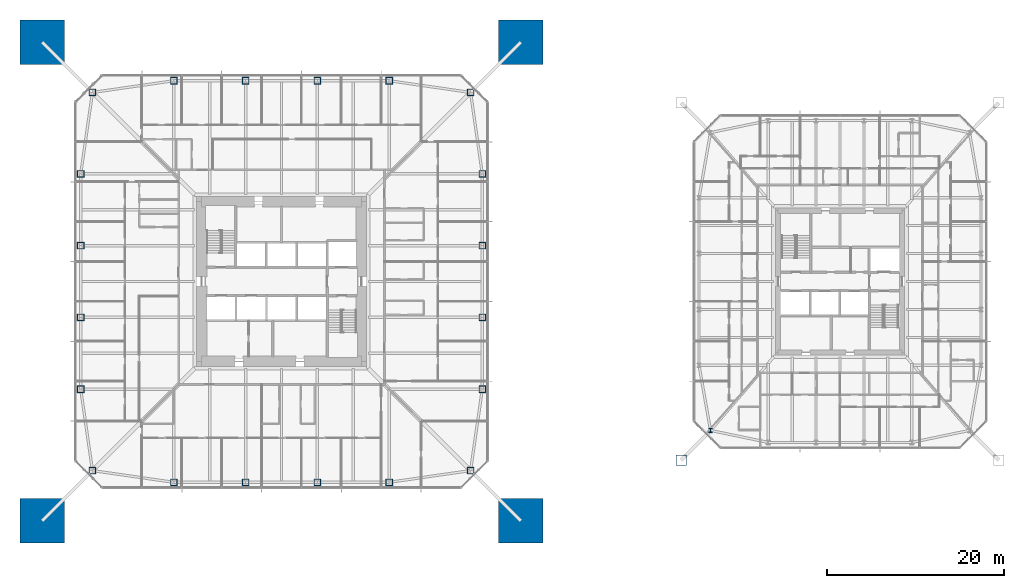
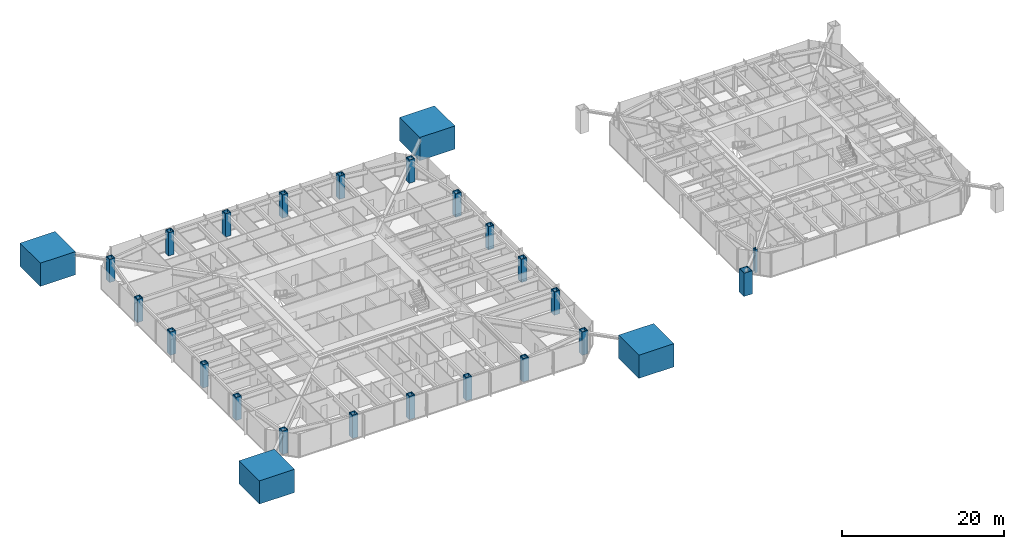
# One storey, part 1 of 26: 26 columns.
"""IFC4 building model written with IfcOpenShell, lengths in metres."""

import ifcopenshell
import ifcopenshell.guid

model = None  # the IFC model being written
_history = None  # IfcOwnerHistory: only IFC2X3 demands one
_inside = {}  # id of a spatial element -> (the spatial element, [elements in it])
_under = {}  # id of a project, library or spatial element -> (it, [spatial elements below it])
_declared = {}  # id of a project -> (the project, [libraries it declares])
_typed = {}  # id of a type object -> (the type object, [elements of that type])
_made_of = {}  # id of a material, layer set ... -> (it, [elements and type objects made of it])


def new_model(schema):
    """Start an empty IFC model of exactly this schema.

    Asked for "IFC4X3", IfcOpenShell would pick the latest addendum, in which some entities
    have other attributes; the version numbers below select the first issue.
    IFC2X3 requires an IfcOwnerHistory on every rooted entity: one is made here for all.
    """
    global model, _history
    if schema == "IFC4X3":
        model = ifcopenshell.file(schema_version=(4, 3, 0, 0))
    else:
        model = ifcopenshell.file(schema=schema)
    _inside.clear()
    _under.clear()
    _declared.clear()
    _typed.clear()
    _made_of.clear()
    _history = None
    if model.schema == "IFC2X3":
        org = make("IfcOrganization", Name="unknown")
        user = make(
            "IfcPersonAndOrganization",
            ThePerson=make("IfcPerson", FamilyName="unknown"),
            TheOrganization=org,
        )
        app = make(
            "IfcApplication",
            ApplicationDeveloper=org,
            Version="unknown",
            ApplicationFullName="unknown",
            ApplicationIdentifier="unknown",
        )
        _history = make(
            "IfcOwnerHistory",
            OwningUser=user,
            OwningApplication=app,
            ChangeAction="ADDED",
            CreationDate=0,
        )
    return model


def make(cls, **values):
    """One entity of the class cls with the attributes given. An attribute that is None is left unset."""
    return model.create_entity(
        cls, **{name: value for name, value in values.items() if value is not None}
    )


def rooted(cls, **values):
    """An entity with a GlobalId (a new one), such as an element, a storey or a relation."""
    return make(cls, GlobalId=ifcopenshell.guid.new(), OwnerHistory=_history, **values)


def si_unit(unit_type, name, prefix=None):
    """IfcSIUnit, for example si_unit("LENGTHUNIT", "METRE", prefix="MILLI")."""
    return make("IfcSIUnit", UnitType=unit_type, Prefix=prefix, Name=name)


def assignment(units):
    """IfcUnitAssignment: the units of a project."""
    return None if units is None else make("IfcUnitAssignment", Units=units)


def point(xyz):
    """IfcCartesianPoint."""
    return None if xyz is None else make("IfcCartesianPoint", Coordinates=xyz)


def direction(xyz):
    """IfcDirection."""
    return None if xyz is None else make("IfcDirection", DirectionRatios=xyz)


def frame(location, z_axis=None, x_axis=None):
    """IfcAxis2Placement3D, a coordinate frame: its origin and axes. An axis left out is left unset."""
    return make(
        "IfcAxis2Placement3D",
        Location=point(location),
        Axis=direction(z_axis),
        RefDirection=direction(x_axis),
    )


def frame_2d(location, x_axis=None):
    """IfcAxis2Placement2D, a coordinate frame in the plane: its origin and x axis."""
    return make(
        "IfcAxis2Placement2D", Location=point(location), RefDirection=direction(x_axis)
    )


def origin():
    """The frame at (0, 0, 0) with its axes left unset."""
    return frame((0.0, 0.0, 0.0))


def origin_2d():
    """The frame at (0, 0) in the plane with its x axis left unset."""
    return frame_2d((0.0, 0.0))


def place(relative_to, where):
    """IfcLocalPlacement: puts the frame where relative to a parent placement (None: the world)."""
    return make(
        "IfcLocalPlacement", PlacementRelTo=relative_to, RelativePlacement=where
    )


def context(
    kind, dimensions, precision=None, world=None, true_north=None, identifier=None
):
    """IfcGeometricRepresentationContext, for example the 3D "Model" context."""
    return make(
        "IfcGeometricRepresentationContext",
        ContextIdentifier=identifier,
        ContextType=kind,
        CoordinateSpaceDimension=dimensions,
        Precision=precision,
        WorldCoordinateSystem=world,
        TrueNorth=true_north,
    )


def subcontext(parent, identifier, kind, view, scale=None):
    """IfcGeometricRepresentationSubContext, for example "Body" below "Model"."""
    return make(
        "IfcGeometricRepresentationSubContext",
        ContextIdentifier=identifier,
        ContextType=kind,
        ParentContext=parent,
        TargetScale=scale,
        TargetView=view,
    )


def project(units=None, contexts=None):
    """IfcProject with its units and contexts."""
    return rooted(
        "IfcProject",
        Name="project",
        RepresentationContexts=contexts,
        UnitsInContext=assignment(units),
    )


def spatial(cls, under=None, at=None, **own):
    """A site, building, storey or space (cls), placed at a placement, below another one or the project."""
    s = rooted(cls, ObjectPlacement=at, **own)
    if under is not None:
        _under.setdefault(under.id(), (under, []))[1].append(s)
    return s


def profile(cls, at=None, kind="AREA", **sizes):
    """A parametric profile (cls). Its sizes go by their IFC names, for example OverallWidth=200.0."""
    return make(cls, ProfileType=kind, Position=at, **sizes)


def rectangle(**sizes):
    """IfcRectangleProfileDef."""
    return profile("IfcRectangleProfileDef", **sizes)


def hollow_rectangle(**sizes):
    """IfcRectangleHollowProfileDef."""
    return profile("IfcRectangleHollowProfileDef", **sizes)


def i_section(**sizes):
    """IfcIShapeProfileDef."""
    return profile("IfcIShapeProfileDef", **sizes)


def extrude(swept, where, along, depth):
    """IfcExtrudedAreaSolid: the profile swept, set in the frame where, extruded along a direction by depth."""
    return make(
        "IfcExtrudedAreaSolid",
        SweptArea=swept,
        Position=where,
        ExtrudedDirection=direction(along),
        Depth=depth,
    )


def shape(context_of_items, identifier, shape_type, items):
    """IfcShapeRepresentation: the items that make up one representation, for example the "Body"."""
    return make(
        "IfcShapeRepresentation",
        ContextOfItems=context_of_items,
        RepresentationIdentifier=identifier,
        RepresentationType=shape_type,
        Items=items,
    )


def material(Name=None, Category=None):
    """IfcMaterial."""
    return make("IfcMaterial", Name=Name, Category=Category)


def material_profile(
    of_material, cross_section, Name=None, Category=None, Priority=None
):
    """IfcMaterialProfile: a cross section and its material."""
    return make(
        "IfcMaterialProfile",
        Name=Name,
        Material=of_material,
        Profile=cross_section,
        Priority=Priority,
        Category=Category,
    )


def profile_set(profiles, Name=None, composite=None):
    """IfcMaterialProfileSet."""
    return make(
        "IfcMaterialProfileSet",
        Name=Name,
        MaterialProfiles=profiles,
        CompositeProfile=composite,
    )


def made_of(thing, what):
    """Note that an element or type object is made of a material, layer set ...; save() writes the relation."""
    if what is not None:
        _made_of.setdefault(what.id(), (what, []))[1].append(thing)
    return thing


def type_object(cls, material=None, **own):
    """A type object (cls), such as IfcWallType, which elements share."""
    return made_of(rooted(cls, **own), material)


def element(
    cls,
    number,
    at=None,
    inside=None,
    cuts=None,
    type_object=None,
    material=None,
    context=None,
    identifier="Body",
    shape_type=None,
    held_by="IfcProductDefinitionShape",
    body=None,
    shapes=None,
    **own,
):
    """One element of the class cls, such as IfcWall. Its Tag is "e" and its number.

    at: its placement. inside: the storey or other place that contains it. cuts: it is an
    opening in that element (IfcRelVoidsElement). A single representation is given by context,
    identifier, shape_type and body (its items); several are given by shapes. held_by: the class
    of the entity that holds the representations. save() writes the other relations.
    """
    e = rooted(cls, Tag="e%d" % number, ObjectPlacement=at, **own)
    if body is not None:
        shapes = [shape(context, identifier, shape_type, body)]
    if shapes is not None:
        e.Representation = make(held_by, Representations=shapes)
    if inside is not None:
        _inside.setdefault(inside.id(), (inside, []))[1].append(e)
    if cuts is not None:
        rooted(
            "IfcRelVoidsElement", RelatingBuildingElement=cuts, RelatedOpeningElement=e
        )
    if type_object is not None:
        _typed.setdefault(type_object.id(), (type_object, []))[1].append(e)
    return made_of(e, material)


def aggregate(whole, parts):
    """IfcRelAggregates: a whole, such as a stair, and the parts it consists of."""
    return rooted("IfcRelAggregates", RelatingObject=whole, RelatedObjects=parts)


def save(model, path):
    """Write the relations noted so far, then the file.

    IfcRelAggregates (storeys below a building ...), IfcRelContainedInSpatialStructure (elements
    in a storey), IfcRelDefinesByType, IfcRelAssociatesMaterial and IfcRelDeclares: one each for
    every whole, place, type object, material and project.
    """
    for whole, parts in _under.values():
        aggregate(whole, parts)
    for where, things in _inside.values():
        rooted(
            "IfcRelContainedInSpatialStructure",
            RelatedElements=things,
            RelatingStructure=where,
        )
    for kind, things in _typed.values():
        rooted("IfcRelDefinesByType", RelatedObjects=things, RelatingType=kind)
    for what, things in _made_of.values():
        rooted("IfcRelAssociatesMaterial", RelatedObjects=things, RelatingMaterial=what)
    for by, libraries in _declared.values():
        rooted("IfcRelDeclares", RelatingContext=by, RelatedDefinitions=libraries)
    model.write(path)


model = new_model("IFC4")

# Units and contexts
model_context = context("Model", 3, precision=1e-05, world=origin(), true_north=direction((0.0, 1.0)))
body_context = subcontext(model_context, "Body", "Model", "MODEL_VIEW")
ifc_project = project(units=[si_unit("LENGTHUNIT", "METRE"), si_unit("AREAUNIT", "SQUARE_METRE"), si_unit("VOLUMEUNIT", "CUBIC_METRE"), si_unit("PLANEANGLEUNIT", "RADIAN"), si_unit("MASSUNIT", "GRAM", prefix="KILO")], contexts=[model_context])

# Site, building, storey
site_placement = place(None, origin())
site = spatial("IfcSite", under=ifc_project, at=site_placement, CompositionType="ELEMENT")
building_placement = place(site_placement, origin())
building = spatial("IfcBuilding", under=site, at=building_placement, Name="Iwan Alto Co-Living Towers", CompositionType="ELEMENT")
storey_placement = place(building_placement, frame((0.0, 0.0, 36.0)))
storey = spatial("IfcBuildingStorey", under=building, at=storey_placement, Name="L09", CompositionType="ELEMENT", Elevation=36.0)

# Columns
ifc_material_1 = material(Name="Concrete f'c 70 MPa", Category="concrete")
ifc_material_profile_1 = material_profile(ifc_material_1, rectangle(XDim=5.0, YDim=5.0, at=origin_2d()), Name="RC 5000X5000")
ifc_profile_set_1 = profile_set([ifc_material_profile_1], Name="Concrete f'c 70 MPa")
column_type_1 = type_object("IfcColumnType", Name="T1 MEGA COLUMN RC 5000X5000", PredefinedType="COLUMN", material=ifc_profile_set_1)
for number, where, z_axis, x_axis, name in (
    (1, (-27.0, -27.0, 0.0), (0.0, 0.0, 1.0), (1.0, 0.0, 0.0), "T1 mega column SW L09"),
    (2, (27.0, -27.0, 0.0), (0.0, 0.0, 1.0), (1.0, 0.0, 0.0), "T1 mega column SE L09"),
    (3, (27.0, 27.0, 0.0), (0.0, 0.0, 1.0), (1.0, 0.0, 0.0), "T1 mega column NE L09"),
    (4, (-27.0, 27.0, 0.0), (0.0, 0.0, 1.0), (1.0, 0.0, 0.0), "T1 mega column NW L09"),
):
    element("IfcColumn", number, at=place(storey_placement, frame(where, z_axis=z_axis, x_axis=x_axis)), inside=storey, type_object=column_type_1, Name=name, PredefinedType="COLUMN", context=body_context, shape_type="SweptSolid", body=[
        extrude(rectangle(XDim=5.0, YDim=5.0, at=origin_2d()), origin(), (0.0, 0.0, 1.0), 3.5),
        extrude(i_section(OverallWidth=0.4775390625, OverallDepth=0.599365234375, WebThickness=0.10009765625, FlangeThickness=0.139892578125, at=origin_2d()), origin(), (0.0, 0.0, 1.0), 3.5),
    ])
ifc_material_2 = material(Name="Steel ASTM A572 Gr 50", Category="steel")
ifc_material_profile_2 = material_profile(ifc_material_2, hollow_rectangle(XDim=0.800048828125, YDim=0.800048828125, WallThickness=0.090087890625, at=origin_2d()), Name="BOX 800X800X90")
ifc_profile_set_2 = profile_set([ifc_material_profile_2], Name="Steel ASTM A572 Gr 50")
column_type_2 = type_object("IfcColumnType", Name="T1 RING COLUMN BOX 800X800X90", PredefinedType="COLUMN", material=ifc_profile_set_2)
for number, where, z_axis, x_axis, name in (
    (5, (-21.32568359375, -21.32568359375, 0.0), (0.0, 0.0, 1.0), (1.0, 0.0, 0.0), "T1 ring column CSW L09"),
    (6, (-12.14990234375, -22.64990234375, 0.0), (0.0, 0.0, 1.0), (1.0, 0.0, 0.0), "T1 ring column S1 L09"),
    (7, (-4.050048828125, -22.64990234375, 0.0), (0.0, 0.0, 1.0), (1.0, 0.0, 0.0), "T1 ring column S2 L09"),
    (8, (4.050048828125, -22.64990234375, 0.0), (0.0, 0.0, 1.0), (1.0, 0.0, 0.0), "T1 ring column S3 L09"),
    (9, (12.14990234375, -22.64990234375, 0.0), (0.0, 0.0, 1.0), (1.0, 0.0, 0.0), "T1 ring column S4 L09"),
    (10, (21.32568359375, -21.32568359375, 0.0), (0.0, 0.0, 1.0), (1.0, 0.0, 0.0), "T1 ring column CSE L09"),
    (11, (22.64990234375, -12.14990234375, 0.0), (0.0, 0.0, 1.0), (1.0, 0.0, 0.0), "T1 ring column E1 L09"),
    (12, (22.64990234375, -4.050048828125, 0.0), (0.0, 0.0, 1.0), (1.0, 0.0, 0.0), "T1 ring column E2 L09"),
    (13, (22.64990234375, 4.050048828125, 0.0), (0.0, 0.0, 1.0), (1.0, 0.0, 0.0), "T1 ring column E3 L09"),
    (14, (22.64990234375, 12.14990234375, 0.0), (0.0, 0.0, 1.0), (1.0, 0.0, 0.0), "T1 ring column E4 L09"),
    (15, (21.32568359375, 21.32568359375, 0.0), (0.0, 0.0, 1.0), (1.0, 0.0, 0.0), "T1 ring column CNE L09"),
    (16, (12.14990234375, 22.64990234375, 0.0), (0.0, 0.0, 1.0), (1.0, 0.0, 0.0), "T1 ring column N1 L09"),
    (17, (4.050048828125, 22.64990234375, 0.0), (0.0, 0.0, 1.0), (1.0, 0.0, 0.0), "T1 ring column N2 L09"),
    (18, (-4.050048828125, 22.64990234375, 0.0), (0.0, 0.0, 1.0), (1.0, 0.0, 0.0), "T1 ring column N3 L09"),
    (19, (-12.14990234375, 22.64990234375, 0.0), (0.0, 0.0, 1.0), (1.0, 0.0, 0.0), "T1 ring column N4 L09"),
    (20, (-21.32568359375, 21.32568359375, 0.0), (0.0, 0.0, 1.0), (1.0, 0.0, 0.0), "T1 ring column CNW L09"),
    (21, (-22.64990234375, 12.14990234375, 0.0), (0.0, 0.0, 1.0), (1.0, 0.0, 0.0), "T1 ring column W1 L09"),
    (22, (-22.64990234375, 4.050048828125, 0.0), (0.0, 0.0, 1.0), (1.0, 0.0, 0.0), "T1 ring column W2 L09"),
    (23, (-22.64990234375, -4.050048828125, 0.0), (0.0, 0.0, 1.0), (1.0, 0.0, 0.0), "T1 ring column W3 L09"),
    (24, (-22.64990234375, -12.14990234375, 0.0), (0.0, 0.0, 1.0), (1.0, 0.0, 0.0), "T1 ring column W4 L09"),
):
    element("IfcColumn", number, at=place(storey_placement, frame(where, z_axis=z_axis, x_axis=x_axis)), inside=storey, type_object=column_type_2, Name=name, PredefinedType="COLUMN", context=body_context, shape_type="SweptSolid", body=[
        extrude(hollow_rectangle(XDim=0.800048828125, YDim=0.800048828125, WallThickness=0.090087890625, at=origin_2d()), origin(), (0.0, 0.0, 1.0), 3.5),
    ])
ifc_material_3 = material(Name="Steel ASTM A572 Gr 50", Category="steel")
ifc_material_profile_3 = material_profile(ifc_material_3, hollow_rectangle(XDim=1.199951171875, YDim=1.199951171875, WallThickness=0.070068359375, at=origin_2d()), Name="BOX 1200X1200X70")
ifc_profile_set_3 = profile_set([ifc_material_profile_3], Name="Steel ASTM A572 Gr 50")
column_type_3 = type_object("IfcColumnType", Name="T2 MEGA COLUMN BOX 1200X1200X70", PredefinedType="COLUMN", material=ifc_profile_set_3)
column_1_placement = place(storey_placement, frame((45.10009765625, -20.14990234375, 0.0), z_axis=(0.0, 0.0, 1.0), x_axis=(1.0, 0.0, 0.0)))
element("IfcColumn", 25, at=column_1_placement, inside=storey, type_object=column_type_3, Name="T2 mega column SW L09", PredefinedType="COLUMN", context=body_context, shape_type="SweptSolid", body=[
    extrude(hollow_rectangle(XDim=1.199951171875, YDim=1.199951171875, WallThickness=0.070068359375, at=origin_2d()), origin(), (0.0, 0.0, 1.0), 3.5),
])
ifc_material_4 = material(Name="Steel ASTM A992 Gr 50", Category="steel")
ifc_material_profile_4 = material_profile(ifc_material_4, i_section(OverallWidth=0.424072265625, OverallDepth=0.47509765625, WebThickness=0.0478515625, FlangeThickness=0.0771484375, at=origin_2d()), Name="W14X426")
ifc_profile_set_4 = profile_set([ifc_material_profile_4], Name="Steel ASTM A992 Gr 50")
column_type_4 = type_object("IfcColumnType", Name="T2 RING COLUMN W14X426", PredefinedType="COLUMN", material=ifc_profile_set_4)
column_2_placement = place(storey_placement, frame((48.393798828125, -16.797119140625, 0.0), z_axis=(0.0, 0.0, 1.0), x_axis=(1.0, 0.0, 0.0)))
element("IfcColumn", 26, at=column_2_placement, inside=storey, type_object=column_type_4, Name="T2 ring column CSW L09", PredefinedType="COLUMN", context=body_context, shape_type="SweptSolid", body=[
    extrude(i_section(OverallWidth=0.424072265625, OverallDepth=0.47509765625, WebThickness=0.0478515625, FlangeThickness=0.0771484375, at=origin_2d()), origin(), (0.0, 0.0, 1.0), 3.5),
])

save(model, "model.ifc")
